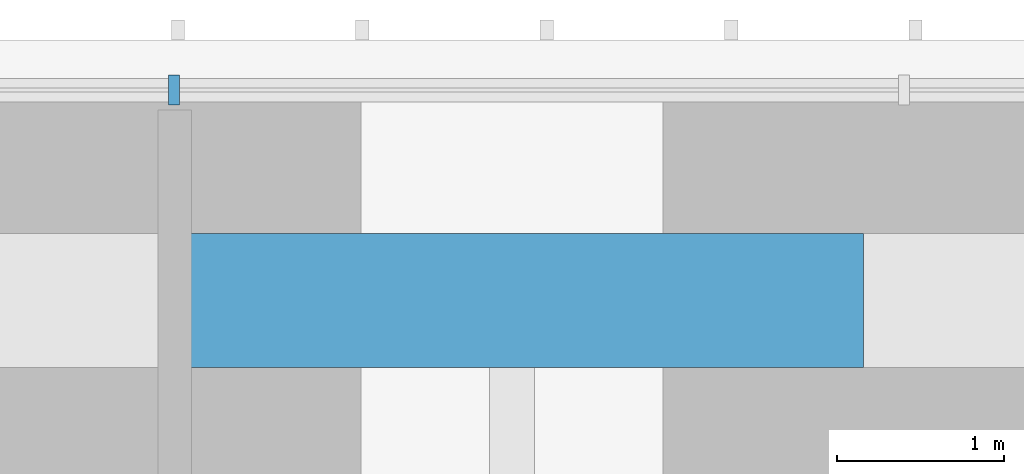
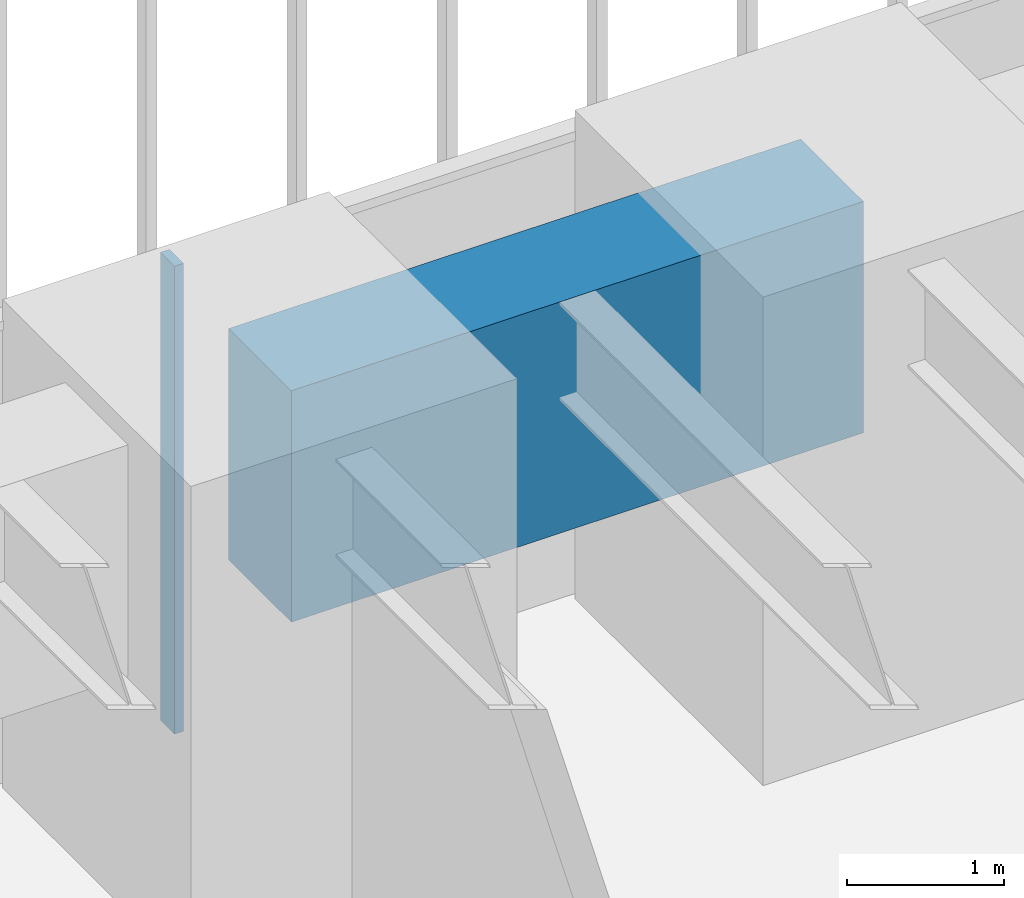
# One storey, part 213 of 256: 1 beam, 1 member, 1 element without a shape of its own.
"""IFC4 building model written with IfcOpenShell, lengths in metres."""

from ifc_helpers import new_model, si_unit, direction, frame, origin, origin_2d, place, context, subcontext, project, spatial, rectangle, extrude, material, material_profile, profile_set, type_object, element, aggregate, save


model = new_model("IFC4")

# Units and contexts
model_context = context("Model", 3, precision=1e-05, world=origin(), true_north=direction((0.0, 1.0)))
body_context = subcontext(model_context, "Body", "Model", "MODEL_VIEW")
ifc_project = project(units=[si_unit("LENGTHUNIT", "METRE"), si_unit("AREAUNIT", "SQUARE_METRE"), si_unit("VOLUMEUNIT", "CUBIC_METRE"), si_unit("PLANEANGLEUNIT", "RADIAN"), si_unit("MASSUNIT", "GRAM", prefix="KILO")], contexts=[model_context])

# Site, building, storey
site_placement = place(None, origin())
site = spatial("IfcSite", under=ifc_project, at=site_placement, CompositionType="ELEMENT")
building_placement = place(site_placement, origin())
building = spatial("IfcBuilding", under=site, at=building_placement, Name="Sandreach Pilgrim Tower", CompositionType="ELEMENT")
storey_placement = place(building_placement, frame((0.0, 0.0, 23.0)))
storey = spatial("IfcBuildingStorey", under=building, at=storey_placement, Name="L04", CompositionType="ELEMENT", Elevation=23.0)

# Curtain wall, member
ifc_material_1 = material(Name="Aluminium framed curtain wall", Category="aluminium")
curtain_wall_type = type_object("IfcCurtainWallType", Name="Hostel tower curtain wall", PredefinedType="NOTDEFINED", material=ifc_material_1)
curtain_wall_placement = place(storey_placement, origin())
curtain_wall = element("IfcCurtainWall", 1, at=curtain_wall_placement, inside=storey, type_object=curtain_wall_type, Name="CW-1 L04 N", PredefinedType="NOTDEFINED")
ifc_material_2 = material(Name="Aluminium extrusion", Category="aluminium")
ifc_material_profile_1 = material_profile(ifc_material_2, rectangle(XDim=0.06494140625, YDim=0.179931640625, at=origin_2d()), Name="CW-1M 65X180")
ifc_profile_set_1 = profile_set([ifc_material_profile_1], Name="Aluminium extrusion")
member_type = type_object("IfcMemberType", Name="CW-1 mullion", PredefinedType="MULLION", material=ifc_profile_set_1)
member_placement = place(storey_placement, frame((2.185791015625, 23.94873046875, 0.0), z_axis=(0.0, 0.0, 1.0), x_axis=(1.0, 0.0, 0.0)))
member = element("IfcMember", 2, at=member_placement, type_object=member_type, Name="CW-1 mullion 6", PredefinedType="MULLION", context=body_context, shape_type="SweptSolid", body=[
    extrude(rectangle(XDim=0.06494140625, YDim=0.179931640625, at=origin_2d()), origin(), (0.0, 0.0, 1.0), 3.639892578125),
])
aggregate(curtain_wall, [member])

# Beam
ifc_material_3 = material(Name="Concrete 10000 psi", Category="concrete")
ifc_material_profile_2 = material_profile(ifc_material_3, rectangle(XDim=0.800048828125, YDim=1.800048828125, at=origin_2d()), Name="RC800X1800")
ifc_profile_set_2 = profile_set([ifc_material_profile_2], Name="Concrete 10000 psi")
beam_type = type_object("IfcBeamType", Name="Spandrel beam RC800X1800", PredefinedType="SPANDREL", material=ifc_profile_set_2)
beam_placement = place(storey_placement, frame((2.10498046875, 22.688720703125, 2.739990234375), z_axis=(1.0, 0.0, 0.0), x_axis=(0.0, 1.0, 0.0)))
element("IfcBeam", 3, at=beam_placement, inside=storey, type_object=beam_type, Name="BM L04 SP05", PredefinedType="SPANDREL", context=body_context, shape_type="SweptSolid", body=[
    extrude(rectangle(XDim=0.800048828125, YDim=1.800048828125, at=origin_2d()), origin(), (0.0, 0.0, 1.0), 4.2099609375),
])

save(model, "model.ifc")
